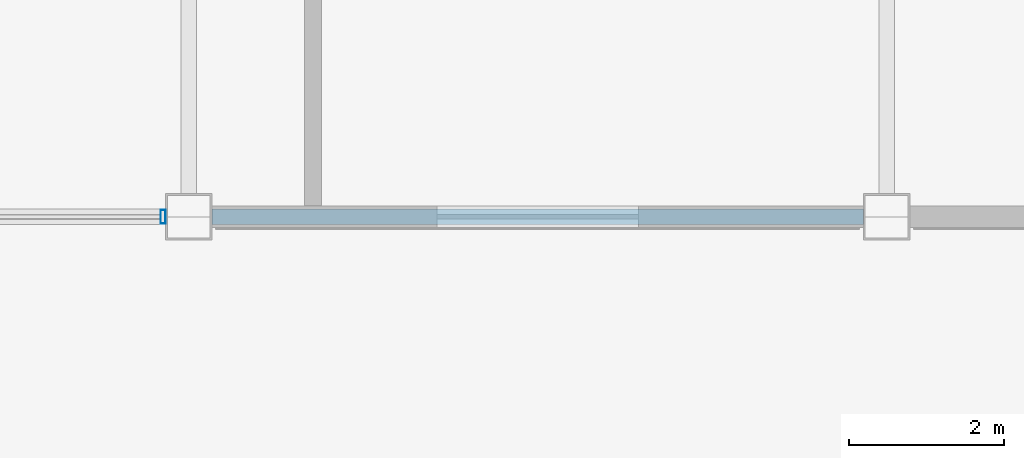
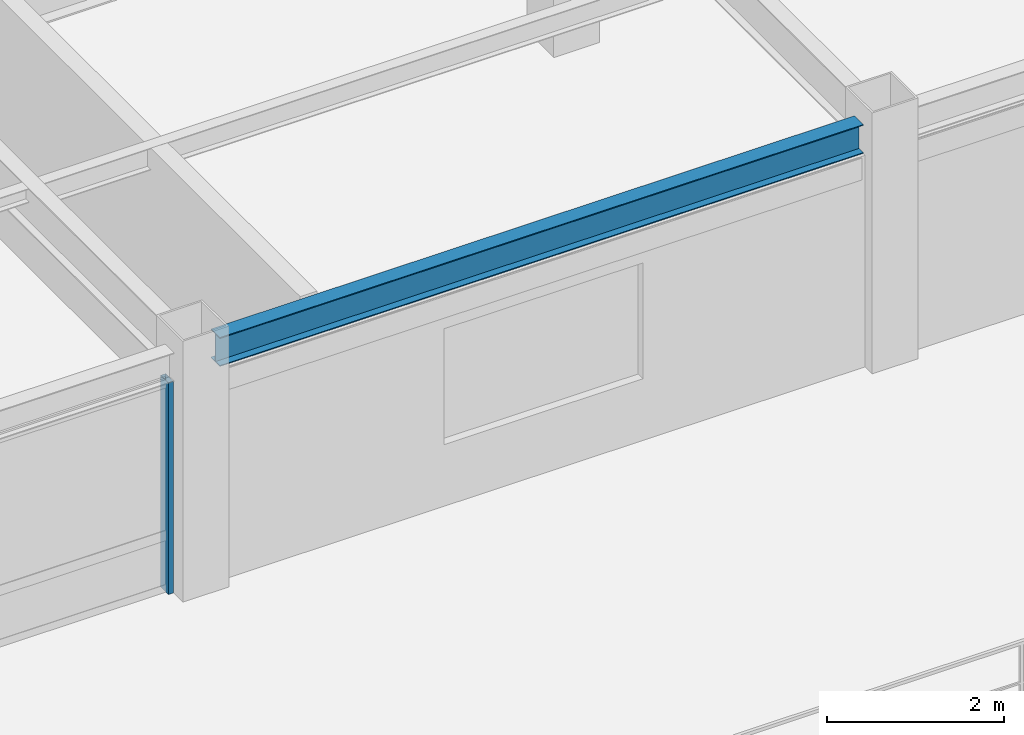
# One storey, part 30 of 43: 1 beam, 1 member, 1 element without a shape of its own.
"""IFC4 building model written with IfcOpenShell, lengths in metres."""

from ifc_helpers import new_model, si_unit, direction, frame, origin, origin_2d, place, context, subcontext, project, spatial, hollow_rectangle, i_section, extrude, material, material_profile, profile_set, type_object, element, aggregate, save


model = new_model("IFC4")

# Units and contexts
model_context = context("Model", 3, precision=1e-05, world=origin(), true_north=direction((0.0, 1.0)))
body_context = subcontext(model_context, "Body", "Model", "MODEL_VIEW")
ifc_project = project(units=[si_unit("LENGTHUNIT", "METRE"), si_unit("AREAUNIT", "SQUARE_METRE"), si_unit("VOLUMEUNIT", "CUBIC_METRE"), si_unit("PLANEANGLEUNIT", "RADIAN"), si_unit("MASSUNIT", "GRAM", prefix="KILO")], contexts=[model_context])

# Site, building, storey
site_placement = place(None, origin())
site = spatial("IfcSite", under=ifc_project, at=site_placement, CompositionType="ELEMENT")
building_placement = place(site_placement, origin())
building = spatial("IfcBuilding", under=site, at=building_placement, Name="Kazanami Central Library", CompositionType="ELEMENT")
storey_placement = place(building_placement, frame((0.0, 0.0, 20.60009765625)))
storey = spatial("IfcBuildingStorey", under=building, at=storey_placement, Name="L06", CompositionType="ELEMENT", Elevation=20.60009765625)

# Beam
ifc_material_1 = material(Name="Steel SN490B (325 MPa)", Category="steel")
ifc_material_profile_1 = material_profile(ifc_material_1, i_section(OverallWidth=0.199951171875, OverallDepth=0.39990234375, WebThickness=0.008056640625, FlangeThickness=0.012939453125, at=origin_2d()), Name="H-400x200x8x13")
ifc_profile_set_1 = profile_set([ifc_material_profile_1], Name="Steel SN490B (325 MPa)")
beam_type = type_object("IfcBeamType", Name="BM-SP-3", PredefinedType="SPANDREL", material=ifc_profile_set_1)
beam_placement = place(storey_placement, frame((144.298095703125, 57.60009765625, 3.119873046875), z_axis=(1.0, 0.0, 0.0), x_axis=(0.0, 1.0, 0.0)))
element("IfcBeam", 1, at=beam_placement, inside=storey, type_object=beam_type, Name="Girder SP-3 L06 J/17-18", PredefinedType="SPANDREL", context=body_context, shape_type="SweptSolid", body=[
    extrude(i_section(OverallWidth=0.199951171875, OverallDepth=0.39990234375, WebThickness=0.008056640625, FlangeThickness=0.012939453125, at=origin_2d()), origin(), (0.0, 0.0, 1.0), 8.40380859375),
])

# Curtain wall, member
ifc_material_2 = material(Name="Acid-Etched Low-E Laminated Glass", Category="glass")
curtain_wall_type = type_object("IfcCurtainWallType", Name="CW-8400x2920-M275", PredefinedType="USERDEFINED", material=ifc_material_2)
curtain_wall_placement = place(storey_placement, origin())
curtain_wall = element("IfcCurtainWall", 2, at=curtain_wall_placement, inside=storey, type_object=curtain_wall_type, Name="Unitised Curtain Wall CW-55 L06 S-J-15", ObjectType="UNITISED CURTAIN WALL", PredefinedType="USERDEFINED")
ifc_material_3 = material(Name="Anodised Aluminium A6063-T5", Category="aluminium")
ifc_material_profile_2 = material_profile(ifc_material_3, hollow_rectangle(XDim=0.06494140625, YDim=0.179931640625, WallThickness=0.00390625, at=origin_2d()), Name="ALU-MULL-65x180x4")
ifc_profile_set_2 = profile_set([ifc_material_profile_2], Name="Anodised Aluminium A6063-T5")
member_type = type_object("IfcMemberType", Name="MEM-CW-M2", PredefinedType="MULLION", material=ifc_profile_set_2)
member_placement = place(storey_placement, frame((143.66748046875, 57.60009765625, 0.0), z_axis=(0.0, 0.0, 1.0), x_axis=(1.0, 0.0, 0.0)))
member = element("IfcMember", 3, at=member_placement, type_object=member_type, Name="CW-55 mullion 4", PredefinedType="MULLION", context=body_context, shape_type="SweptSolid", body=[
    extrude(hollow_rectangle(XDim=0.06494140625, YDim=0.179931640625, WallThickness=0.00390625, at=origin_2d()), origin(), (0.0, 0.0, 1.0), 2.919921875),
])
aggregate(curtain_wall, [member])

save(model, "model.ifc")
